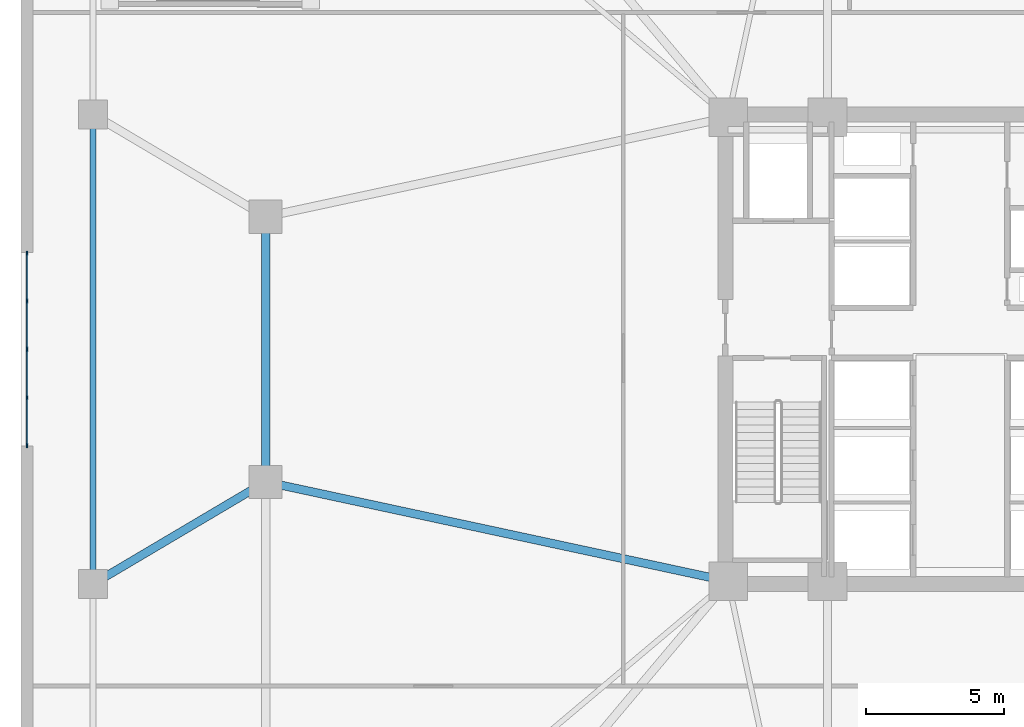
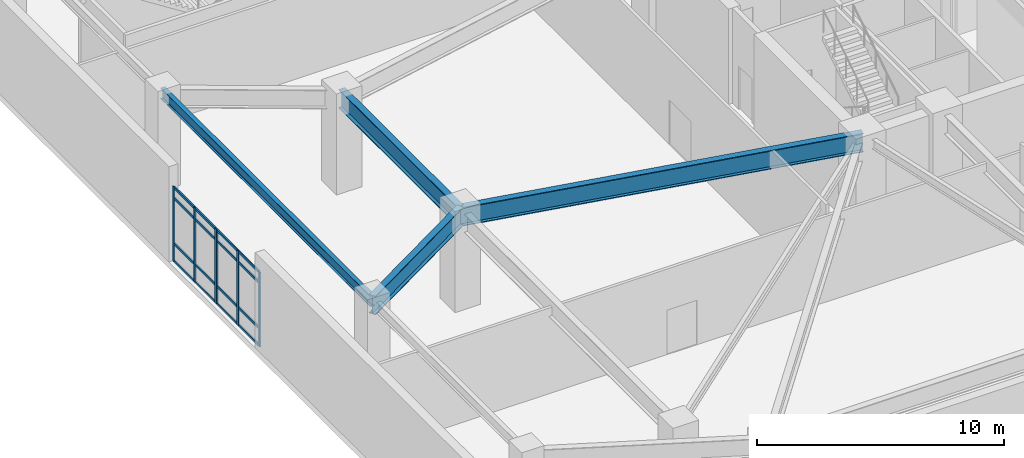
# One storey, part 3 of 20: 22 members, 4 beams, 2 elements without a shape of their own.
"""IFC4 building model written with IfcOpenShell, lengths in metres."""

from ifc_helpers import new_model, si_unit, direction, frame, origin, origin_2d, place, context, subcontext, project, spatial, rectangle, i_section, extrude, material, layer, layer_set, material_profile, profile_set, type_object, element, aggregate, save


model = new_model("IFC4")

# Units and contexts
model_context = context("Model", 3, precision=1e-05, world=origin(), true_north=direction((0.0, 1.0)))
body_context = subcontext(model_context, "Body", "Model", "MODEL_VIEW")
ifc_project = project(units=[si_unit("LENGTHUNIT", "METRE"), si_unit("AREAUNIT", "SQUARE_METRE"), si_unit("VOLUMEUNIT", "CUBIC_METRE"), si_unit("PLANEANGLEUNIT", "RADIAN"), si_unit("MASSUNIT", "GRAM", prefix="KILO")], contexts=[model_context])

# Site, building, storey
site_placement = place(None, origin())
site = spatial("IfcSite", under=ifc_project, at=site_placement, CompositionType="ELEMENT")
building_placement = place(site_placement, origin())
building = spatial("IfcBuilding", under=site, at=building_placement, Name="Cairnveth Concourse Tower", CompositionType="ELEMENT")
storey_placement = place(building_placement, frame((0.0, 0.0, 5.0)))
storey = spatial("IfcBuildingStorey", under=building, at=storey_placement, Name="L01", CompositionType="ELEMENT", Elevation=5.0)

# Curtain wall, members
ifc_material_1 = material(Name="Architectural Bronze Anodised Aluminium 6063-T6", Category="aluminium")
ifc_layer = layer(ifc_material_1, 0.340087890625)
ifc_layer_set = layer_set([ifc_layer], Name="Architectural Bronze Anodised Aluminium 6063-T6")
curtain_wall_type = type_object("IfcCurtainWallType", Name="PODIUM RETAIL SHOPFRONT CURTAIN WALL", PredefinedType="USERDEFINED", material=ifc_layer_set)
curtain_wall_1_placement = place(storey_placement, origin())
curtain_wall_1 = element("IfcCurtainWall", 1, at=curtain_wall_1_placement, inside=storey, type_object=curtain_wall_type, Name="Curtain Wall CW-L01-W-SHOP1", ObjectType="SHOPFRONT GLAZING", PredefinedType="USERDEFINED")
ifc_material_profile_1 = material_profile(ifc_material_1, rectangle(XDim=0.06494140625, YDim=0.14990234375, at=origin_2d()), Name="AL-MUL-65x150")
ifc_profile_set_1 = profile_set([ifc_material_profile_1], Name="Architectural Bronze Anodised Aluminium 6063-T6")
member_type_1 = type_object("IfcMemberType", Name="BRONZE CURTAIN WALL MULLION AL-MUL-65x150", PredefinedType="MULLION", material=ifc_profile_set_1)
member_1_placement = place(storey_placement, frame((18.2099609375, 35.517578125, 0.0), z_axis=(0.0, 0.0, 1.0), x_axis=(-1.0, 0.0, 0.0)))
member_1 = element("IfcMember", 2, at=member_1_placement, type_object=member_type_1, Name="CWS2 mullion 1", PredefinedType="MULLION", context=body_context, shape_type="SweptSolid", body=[
    extrude(rectangle(XDim=0.06494140625, YDim=0.14990234375, at=origin_2d()), origin(), (0.0, 0.0, 1.0), 3.696044921875),
])
member_2_placement = place(storey_placement, frame((18.2099609375, 37.25, 0.0), z_axis=(0.0, 0.0, 1.0), x_axis=(-1.0, 0.0, 0.0)))
member_2 = element("IfcMember", 3, at=member_2_placement, type_object=member_type_1, Name="CWS2 mullion 2", PredefinedType="MULLION", context=body_context, shape_type="SweptSolid", body=[
    extrude(rectangle(XDim=0.06494140625, YDim=0.14990234375, at=origin_2d()), origin(), (0.0, 0.0, 1.0), 3.696044921875),
])
member_3_placement = place(storey_placement, frame((18.2099609375, 38.982421875, 0.0), z_axis=(0.0, 0.0, 1.0), x_axis=(-1.0, 0.0, 0.0)))
member_3 = element("IfcMember", 4, at=member_3_placement, type_object=member_type_1, Name="CWS2 mullion 3", PredefinedType="MULLION", context=body_context, shape_type="SweptSolid", body=[
    extrude(rectangle(XDim=0.06494140625, YDim=0.14990234375, at=origin_2d()), origin(), (0.0, 0.0, 1.0), 3.696044921875),
])

curtain_wall_2_placement = place(storey_placement, origin())
curtain_wall_2 = element("IfcCurtainWall", 5, at=curtain_wall_2_placement, inside=storey, type_object=curtain_wall_type, Name="Curtain Wall CW-L01-W-SHOP2", ObjectType="SHOPFRONT GLAZING", PredefinedType="USERDEFINED")
member_4_placement = place(storey_placement, frame((18.2099609375, 39.017578125, 0.0), z_axis=(0.0, 0.0, 1.0), x_axis=(-1.0, 0.0, 0.0)))
member_4 = element("IfcMember", 6, at=member_4_placement, type_object=member_type_1, Name="CWS2 mullion 1", PredefinedType="MULLION", context=body_context, shape_type="SweptSolid", body=[
    extrude(rectangle(XDim=0.06494140625, YDim=0.14990234375, at=origin_2d()), origin(), (0.0, 0.0, 1.0), 3.696044921875),
])
member_5_placement = place(storey_placement, frame((18.2099609375, 40.75, 0.0), z_axis=(0.0, 0.0, 1.0), x_axis=(-1.0, 0.0, 0.0)))
member_5 = element("IfcMember", 7, at=member_5_placement, type_object=member_type_1, Name="CWS2 mullion 2", PredefinedType="MULLION", context=body_context, shape_type="SweptSolid", body=[
    extrude(rectangle(XDim=0.06494140625, YDim=0.14990234375, at=origin_2d()), origin(), (0.0, 0.0, 1.0), 3.696044921875),
])
member_6_placement = place(storey_placement, frame((18.2099609375, 42.482421875, 0.0), z_axis=(0.0, 0.0, 1.0), x_axis=(-1.0, 0.0, 0.0)))
member_6 = element("IfcMember", 8, at=member_6_placement, type_object=member_type_1, Name="CWS2 mullion 3", PredefinedType="MULLION", context=body_context, shape_type="SweptSolid", body=[
    extrude(rectangle(XDim=0.06494140625, YDim=0.14990234375, at=origin_2d()), origin(), (0.0, 0.0, 1.0), 3.696044921875),
])

# Member
ifc_material_profile_2 = material_profile(ifc_material_1, rectangle(XDim=0.06494140625, YDim=0.1201171875, at=origin_2d()), Name="AL-TRN-65x120")
ifc_profile_set_2 = profile_set([ifc_material_profile_2], Name="Architectural Bronze Anodised Aluminium 6063-T6")
member_type_2 = type_object("IfcMemberType", Name="BRONZE CURTAIN WALL TRANSOM AL-TRN-65x120", PredefinedType="USERDEFINED", material=ifc_profile_set_2)
member_7_placement = place(storey_placement, frame((18.2099609375, 35.550048828125, 0.032470703125), z_axis=(0.0, 1.0, 0.0), x_axis=(-1.0, 0.0, 0.0)))
member_7 = element("IfcMember", 9, at=member_7_placement, type_object=member_type_2, Name="CWS2 transom 1.1", ObjectType="TRANSOM", PredefinedType="USERDEFINED", context=body_context, shape_type="SweptSolid", body=[
    extrude(rectangle(XDim=0.06494140625, YDim=0.1201171875, at=origin_2d()), origin(), (0.0, 0.0, 1.0), 1.66748046875),
])

member_8_placement = place(storey_placement, frame((18.2099609375, 35.550048828125, 0.89990234375), z_axis=(0.0, 1.0, 0.0), x_axis=(-1.0, 0.0, 0.0)))
member_8 = element("IfcMember", 10, at=member_8_placement, type_object=member_type_2, Name="CWS2 transom 1.2", ObjectType="TRANSOM", PredefinedType="USERDEFINED", context=body_context, shape_type="SweptSolid", body=[
    extrude(rectangle(XDim=0.06494140625, YDim=0.1201171875, at=origin_2d()), origin(), (0.0, 0.0, 1.0), 1.66748046875),
])

member_9_placement = place(storey_placement, frame((18.2099609375, 35.550048828125, 3.14599609375), z_axis=(0.0, 1.0, 0.0), x_axis=(-1.0, 0.0, 0.0)))
member_9 = element("IfcMember", 11, at=member_9_placement, type_object=member_type_2, Name="CWS2 transom 1.3", ObjectType="TRANSOM", PredefinedType="USERDEFINED", context=body_context, shape_type="SweptSolid", body=[
    extrude(rectangle(XDim=0.06494140625, YDim=0.1201171875, at=origin_2d()), origin(), (0.0, 0.0, 1.0), 1.66748046875),
])

member_10_placement = place(storey_placement, frame((18.2099609375, 35.550048828125, 3.66357421875), z_axis=(0.0, 1.0, 0.0), x_axis=(-1.0, 0.0, 0.0)))
member_10 = element("IfcMember", 12, at=member_10_placement, type_object=member_type_2, Name="CWS2 transom 1.4", ObjectType="TRANSOM", PredefinedType="USERDEFINED", context=body_context, shape_type="SweptSolid", body=[
    extrude(rectangle(XDim=0.06494140625, YDim=0.1201171875, at=origin_2d()), origin(), (0.0, 0.0, 1.0), 1.66748046875),
])

member_11_placement = place(storey_placement, frame((18.2099609375, 37.282470703125, 0.032470703125), z_axis=(0.0, 1.0, 0.0), x_axis=(-1.0, 0.0, 0.0)))
member_11 = element("IfcMember", 13, at=member_11_placement, type_object=member_type_2, Name="CWS2 transom 2.1", ObjectType="TRANSOM", PredefinedType="USERDEFINED", context=body_context, shape_type="SweptSolid", body=[
    extrude(rectangle(XDim=0.06494140625, YDim=0.1201171875, at=origin_2d()), origin(), (0.0, 0.0, 1.0), 1.66748046875),
])

member_12_placement = place(storey_placement, frame((18.2099609375, 37.282470703125, 0.89990234375), z_axis=(0.0, 1.0, 0.0), x_axis=(-1.0, 0.0, 0.0)))
member_12 = element("IfcMember", 14, at=member_12_placement, type_object=member_type_2, Name="CWS2 transom 2.2", ObjectType="TRANSOM", PredefinedType="USERDEFINED", context=body_context, shape_type="SweptSolid", body=[
    extrude(rectangle(XDim=0.06494140625, YDim=0.1201171875, at=origin_2d()), origin(), (0.0, 0.0, 1.0), 1.66748046875),
])

member_13_placement = place(storey_placement, frame((18.2099609375, 37.282470703125, 3.14599609375), z_axis=(0.0, 1.0, 0.0), x_axis=(-1.0, 0.0, 0.0)))
member_13 = element("IfcMember", 15, at=member_13_placement, type_object=member_type_2, Name="CWS2 transom 2.3", ObjectType="TRANSOM", PredefinedType="USERDEFINED", context=body_context, shape_type="SweptSolid", body=[
    extrude(rectangle(XDim=0.06494140625, YDim=0.1201171875, at=origin_2d()), origin(), (0.0, 0.0, 1.0), 1.66748046875),
])

member_14_placement = place(storey_placement, frame((18.2099609375, 37.282470703125, 3.66357421875), z_axis=(0.0, 1.0, 0.0), x_axis=(-1.0, 0.0, 0.0)))
member_14 = element("IfcMember", 16, at=member_14_placement, type_object=member_type_2, Name="CWS2 transom 2.4", ObjectType="TRANSOM", PredefinedType="USERDEFINED", context=body_context, shape_type="SweptSolid", body=[
    extrude(rectangle(XDim=0.06494140625, YDim=0.1201171875, at=origin_2d()), origin(), (0.0, 0.0, 1.0), 1.66748046875),
])

aggregate(curtain_wall_1, [member_1, member_2, member_3, member_7, member_8, member_9, member_10, member_11, member_12, member_13, member_14])

member_15_placement = place(storey_placement, frame((18.2099609375, 39.050048828125, 0.032470703125), z_axis=(0.0, 1.0, 0.0), x_axis=(-1.0, 0.0, 0.0)))
member_15 = element("IfcMember", 17, at=member_15_placement, type_object=member_type_2, Name="CWS2 transom 1.1", ObjectType="TRANSOM", PredefinedType="USERDEFINED", context=body_context, shape_type="SweptSolid", body=[
    extrude(rectangle(XDim=0.06494140625, YDim=0.1201171875, at=origin_2d()), origin(), (0.0, 0.0, 1.0), 1.66748046875),
])

member_16_placement = place(storey_placement, frame((18.2099609375, 39.050048828125, 0.89990234375), z_axis=(0.0, 1.0, 0.0), x_axis=(-1.0, 0.0, 0.0)))
member_16 = element("IfcMember", 18, at=member_16_placement, type_object=member_type_2, Name="CWS2 transom 1.2", ObjectType="TRANSOM", PredefinedType="USERDEFINED", context=body_context, shape_type="SweptSolid", body=[
    extrude(rectangle(XDim=0.06494140625, YDim=0.1201171875, at=origin_2d()), origin(), (0.0, 0.0, 1.0), 1.66748046875),
])

member_17_placement = place(storey_placement, frame((18.2099609375, 39.050048828125, 3.14599609375), z_axis=(0.0, 1.0, 0.0), x_axis=(-1.0, 0.0, 0.0)))
member_17 = element("IfcMember", 19, at=member_17_placement, type_object=member_type_2, Name="CWS2 transom 1.3", ObjectType="TRANSOM", PredefinedType="USERDEFINED", context=body_context, shape_type="SweptSolid", body=[
    extrude(rectangle(XDim=0.06494140625, YDim=0.1201171875, at=origin_2d()), origin(), (0.0, 0.0, 1.0), 1.66748046875),
])

member_18_placement = place(storey_placement, frame((18.2099609375, 39.050048828125, 3.66357421875), z_axis=(0.0, 1.0, 0.0), x_axis=(-1.0, 0.0, 0.0)))
member_18 = element("IfcMember", 20, at=member_18_placement, type_object=member_type_2, Name="CWS2 transom 1.4", ObjectType="TRANSOM", PredefinedType="USERDEFINED", context=body_context, shape_type="SweptSolid", body=[
    extrude(rectangle(XDim=0.06494140625, YDim=0.1201171875, at=origin_2d()), origin(), (0.0, 0.0, 1.0), 1.66748046875),
])

member_19_placement = place(storey_placement, frame((18.2099609375, 40.782470703125, 0.032470703125), z_axis=(0.0, 1.0, 0.0), x_axis=(-1.0, 0.0, 0.0)))
member_19 = element("IfcMember", 21, at=member_19_placement, type_object=member_type_2, Name="CWS2 transom 2.1", ObjectType="TRANSOM", PredefinedType="USERDEFINED", context=body_context, shape_type="SweptSolid", body=[
    extrude(rectangle(XDim=0.06494140625, YDim=0.1201171875, at=origin_2d()), origin(), (0.0, 0.0, 1.0), 1.66748046875),
])

member_20_placement = place(storey_placement, frame((18.2099609375, 40.782470703125, 0.89990234375), z_axis=(0.0, 1.0, 0.0), x_axis=(-1.0, 0.0, 0.0)))
member_20 = element("IfcMember", 22, at=member_20_placement, type_object=member_type_2, Name="CWS2 transom 2.2", ObjectType="TRANSOM", PredefinedType="USERDEFINED", context=body_context, shape_type="SweptSolid", body=[
    extrude(rectangle(XDim=0.06494140625, YDim=0.1201171875, at=origin_2d()), origin(), (0.0, 0.0, 1.0), 1.66748046875),
])

member_21_placement = place(storey_placement, frame((18.2099609375, 40.782470703125, 3.14599609375), z_axis=(0.0, 1.0, 0.0), x_axis=(-1.0, 0.0, 0.0)))
member_21 = element("IfcMember", 23, at=member_21_placement, type_object=member_type_2, Name="CWS2 transom 2.3", ObjectType="TRANSOM", PredefinedType="USERDEFINED", context=body_context, shape_type="SweptSolid", body=[
    extrude(rectangle(XDim=0.06494140625, YDim=0.1201171875, at=origin_2d()), origin(), (0.0, 0.0, 1.0), 1.66748046875),
])

member_22_placement = place(storey_placement, frame((18.2099609375, 40.782470703125, 3.66357421875), z_axis=(0.0, 1.0, 0.0), x_axis=(-1.0, 0.0, 0.0)))
member_22 = element("IfcMember", 24, at=member_22_placement, type_object=member_type_2, Name="CWS2 transom 2.4", ObjectType="TRANSOM", PredefinedType="USERDEFINED", context=body_context, shape_type="SweptSolid", body=[
    extrude(rectangle(XDim=0.06494140625, YDim=0.1201171875, at=origin_2d()), origin(), (0.0, 0.0, 1.0), 1.66748046875),
])

aggregate(curtain_wall_2, [member_4, member_5, member_6, member_15, member_16, member_17, member_18, member_19, member_20, member_21, member_22])

# Beams
ifc_material_2 = material(Name="Steel Grade 350", Category="steel")
ifc_material_profile_3 = material_profile(ifc_material_2, i_section(OverallWidth=0.208984375, OverallDepth=0.532958984375, WebThickness=0.01025390625, FlangeThickness=0.015625, FilletRadius=0.013916015625, at=origin_2d()), Name="530UB92.4")
ifc_profile_set_3 = profile_set([ifc_material_profile_3], Name="Steel Grade 350")
beam_type_1 = type_object("IfcBeamType", Name="PODIUM EDGE SPANDREL 530UB92.4", PredefinedType="SPANDREL", material=ifc_profile_set_3)
beam_1_placement = place(storey_placement, frame((20.60009765625, 30.5, 4.45361328125), z_axis=(0.0, 1.0, 0.0), x_axis=(-1.0, 0.0, 0.0)))
element("IfcBeam", 25, at=beam_1_placement, inside=storey, type_object=beam_type_1, Name="Beam PSP-W2 L01", PredefinedType="SPANDREL", context=body_context, shape_type="SweptSolid", body=[
    extrude(i_section(OverallWidth=0.208984375, OverallDepth=0.532958984375, WebThickness=0.01025390625, FlangeThickness=0.015625, FilletRadius=0.013916015625, at=origin_2d()), origin(), (0.0, 0.0, 1.0), 17.0),
])
ifc_material_profile_4 = material_profile(ifc_material_2, i_section(OverallWidth=0.300048828125, OverallDepth=0.924072265625, WebThickness=0.013916015625, FlangeThickness=0.031982421875, at=origin_2d()), Name="900WB257")
ifc_profile_set_4 = profile_set([ifc_material_profile_4], Name="Steel Grade 350")
beam_type_2 = type_object("IfcBeamType", Name="PODIUM PRIMARY GIRDER 900WB257", PredefinedType="BEAM", material=ifc_profile_set_4)
beam_2_placement = place(storey_placement, frame((20.60009765625, 30.5, 4.258056640625), z_axis=(0.860518044459, 0.509419959523, 0.0), x_axis=(-0.509419959523, 0.860518044459, 0.0)))
element("IfcBeam", 26, at=beam_2_placement, inside=storey, type_object=beam_type_2, Name="Beam PG-W1 L01", PredefinedType="BEAM", context=body_context, shape_type="SweptSolid", body=[
    extrude(i_section(OverallWidth=0.300048828125, OverallDepth=0.924072265625, WebThickness=0.013916015625, FlangeThickness=0.031982421875, at=origin_2d()), origin(), (0.0, 0.0, 1.0), 7.26318359375),
])
beam_3_placement = place(storey_placement, frame((26.85009765625, 34.199951171875, 4.258056640625), z_axis=(0.977675861524, -0.210118799239, 0.0), x_axis=(0.210118799239, 0.977675861524, 0.0)))
element("IfcBeam", 27, at=beam_3_placement, inside=storey, type_object=beam_type_2, Name="Beam PG-W1B L01", PredefinedType="BEAM", context=body_context, shape_type="SweptSolid", body=[
    extrude(i_section(OverallWidth=0.300048828125, OverallDepth=0.924072265625, WebThickness=0.013916015625, FlangeThickness=0.031982421875, at=origin_2d()), origin(), (0.0, 0.0, 1.0), 17.132568359375),
])
beam_4_placement = place(storey_placement, frame((26.85009765625, 34.199951171875, 4.258056640625), z_axis=(0.0, 1.0, 0.0), x_axis=(-1.0, 0.0, 0.0)))
element("IfcBeam", 28, at=beam_4_placement, inside=storey, type_object=beam_type_2, Name="Beam PR-W2 L01", PredefinedType="BEAM", context=body_context, shape_type="SweptSolid", body=[
    extrude(i_section(OverallWidth=0.300048828125, OverallDepth=0.924072265625, WebThickness=0.013916015625, FlangeThickness=0.031982421875, at=origin_2d()), origin(), (0.0, 0.0, 1.0), 9.60009765625),
])

save(model, "model.ifc")
